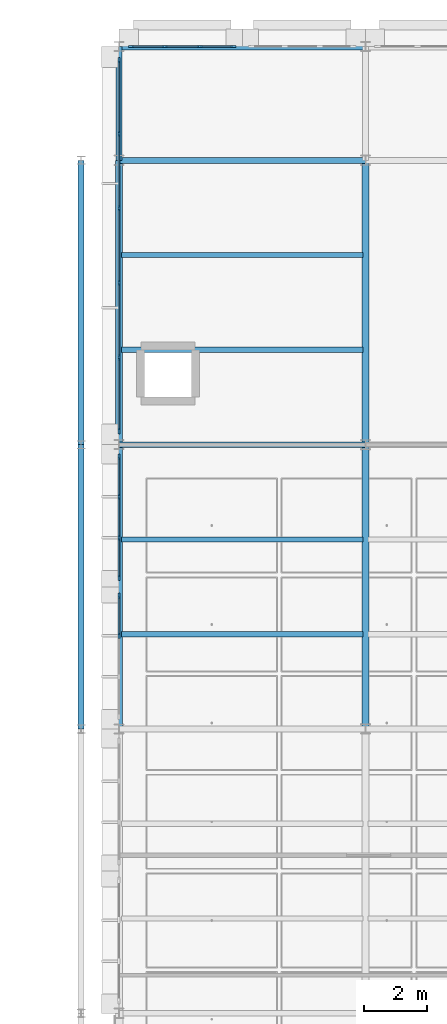
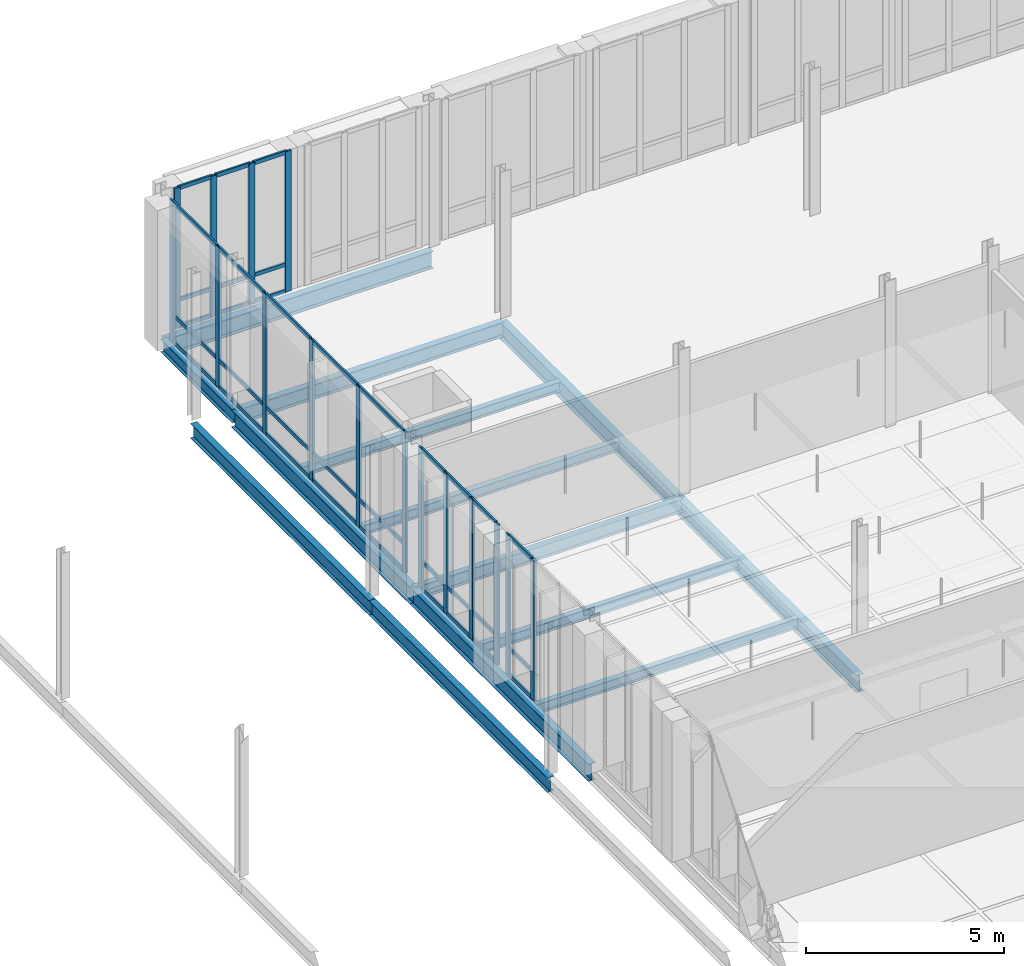
# One storey, part 34 of 130: 52 members, 14 beams, 4 elements without a shape of their own.
"""IFC4 building model written with IfcOpenShell, lengths in metres."""

import ifcopenshell
import ifcopenshell.guid

model = None  # the IFC model being written
_history = None  # IfcOwnerHistory: only IFC2X3 demands one
_inside = {}  # id of a spatial element -> (the spatial element, [elements in it])
_under = {}  # id of a project, library or spatial element -> (it, [spatial elements below it])
_declared = {}  # id of a project -> (the project, [libraries it declares])
_typed = {}  # id of a type object -> (the type object, [elements of that type])
_made_of = {}  # id of a material, layer set ... -> (it, [elements and type objects made of it])


def new_model(schema):
    """Start an empty IFC model of exactly this schema.

    Asked for "IFC4X3", IfcOpenShell would pick the latest addendum, in which some entities
    have other attributes; the version numbers below select the first issue.
    IFC2X3 requires an IfcOwnerHistory on every rooted entity: one is made here for all.
    """
    global model, _history
    if schema == "IFC4X3":
        model = ifcopenshell.file(schema_version=(4, 3, 0, 0))
    else:
        model = ifcopenshell.file(schema=schema)
    _inside.clear()
    _under.clear()
    _declared.clear()
    _typed.clear()
    _made_of.clear()
    _history = None
    if model.schema == "IFC2X3":
        org = make("IfcOrganization", Name="unknown")
        user = make(
            "IfcPersonAndOrganization",
            ThePerson=make("IfcPerson", FamilyName="unknown"),
            TheOrganization=org,
        )
        app = make(
            "IfcApplication",
            ApplicationDeveloper=org,
            Version="unknown",
            ApplicationFullName="unknown",
            ApplicationIdentifier="unknown",
        )
        _history = make(
            "IfcOwnerHistory",
            OwningUser=user,
            OwningApplication=app,
            ChangeAction="ADDED",
            CreationDate=0,
        )
    return model


def make(cls, **values):
    """One entity of the class cls with the attributes given. An attribute that is None is left unset."""
    return model.create_entity(
        cls, **{name: value for name, value in values.items() if value is not None}
    )


def rooted(cls, **values):
    """An entity with a GlobalId (a new one), such as an element, a storey or a relation."""
    return make(cls, GlobalId=ifcopenshell.guid.new(), OwnerHistory=_history, **values)


def si_unit(unit_type, name, prefix=None):
    """IfcSIUnit, for example si_unit("LENGTHUNIT", "METRE", prefix="MILLI")."""
    return make("IfcSIUnit", UnitType=unit_type, Prefix=prefix, Name=name)


def assignment(units):
    """IfcUnitAssignment: the units of a project."""
    return None if units is None else make("IfcUnitAssignment", Units=units)


def point(xyz):
    """IfcCartesianPoint."""
    return None if xyz is None else make("IfcCartesianPoint", Coordinates=xyz)


def direction(xyz):
    """IfcDirection."""
    return None if xyz is None else make("IfcDirection", DirectionRatios=xyz)


def frame(location, z_axis=None, x_axis=None):
    """IfcAxis2Placement3D, a coordinate frame: its origin and axes. An axis left out is left unset."""
    return make(
        "IfcAxis2Placement3D",
        Location=point(location),
        Axis=direction(z_axis),
        RefDirection=direction(x_axis),
    )


def frame_2d(location, x_axis=None):
    """IfcAxis2Placement2D, a coordinate frame in the plane: its origin and x axis."""
    return make(
        "IfcAxis2Placement2D", Location=point(location), RefDirection=direction(x_axis)
    )


def origin():
    """The frame at (0, 0, 0) with its axes left unset."""
    return frame((0.0, 0.0, 0.0))


def origin_2d():
    """The frame at (0, 0) in the plane with its x axis left unset."""
    return frame_2d((0.0, 0.0))


def place(relative_to, where):
    """IfcLocalPlacement: puts the frame where relative to a parent placement (None: the world)."""
    return make(
        "IfcLocalPlacement", PlacementRelTo=relative_to, RelativePlacement=where
    )


def context(
    kind, dimensions, precision=None, world=None, true_north=None, identifier=None
):
    """IfcGeometricRepresentationContext, for example the 3D "Model" context."""
    return make(
        "IfcGeometricRepresentationContext",
        ContextIdentifier=identifier,
        ContextType=kind,
        CoordinateSpaceDimension=dimensions,
        Precision=precision,
        WorldCoordinateSystem=world,
        TrueNorth=true_north,
    )


def subcontext(parent, identifier, kind, view, scale=None):
    """IfcGeometricRepresentationSubContext, for example "Body" below "Model"."""
    return make(
        "IfcGeometricRepresentationSubContext",
        ContextIdentifier=identifier,
        ContextType=kind,
        ParentContext=parent,
        TargetScale=scale,
        TargetView=view,
    )


def project(units=None, contexts=None):
    """IfcProject with its units and contexts."""
    return rooted(
        "IfcProject",
        Name="project",
        RepresentationContexts=contexts,
        UnitsInContext=assignment(units),
    )


def spatial(cls, under=None, at=None, **own):
    """A site, building, storey or space (cls), placed at a placement, below another one or the project."""
    s = rooted(cls, ObjectPlacement=at, **own)
    if under is not None:
        _under.setdefault(under.id(), (under, []))[1].append(s)
    return s


def profile(cls, at=None, kind="AREA", **sizes):
    """A parametric profile (cls). Its sizes go by their IFC names, for example OverallWidth=200.0."""
    return make(cls, ProfileType=kind, Position=at, **sizes)


def rectangle(**sizes):
    """IfcRectangleProfileDef."""
    return profile("IfcRectangleProfileDef", **sizes)


def i_section(**sizes):
    """IfcIShapeProfileDef."""
    return profile("IfcIShapeProfileDef", **sizes)


def extrude(swept, where, along, depth):
    """IfcExtrudedAreaSolid: the profile swept, set in the frame where, extruded along a direction by depth."""
    return make(
        "IfcExtrudedAreaSolid",
        SweptArea=swept,
        Position=where,
        ExtrudedDirection=direction(along),
        Depth=depth,
    )


def shape(context_of_items, identifier, shape_type, items):
    """IfcShapeRepresentation: the items that make up one representation, for example the "Body"."""
    return make(
        "IfcShapeRepresentation",
        ContextOfItems=context_of_items,
        RepresentationIdentifier=identifier,
        RepresentationType=shape_type,
        Items=items,
    )


def material(Name=None, Category=None):
    """IfcMaterial."""
    return make("IfcMaterial", Name=Name, Category=Category)


def material_profile(
    of_material, cross_section, Name=None, Category=None, Priority=None
):
    """IfcMaterialProfile: a cross section and its material."""
    return make(
        "IfcMaterialProfile",
        Name=Name,
        Material=of_material,
        Profile=cross_section,
        Priority=Priority,
        Category=Category,
    )


def profile_set(profiles, Name=None, composite=None):
    """IfcMaterialProfileSet."""
    return make(
        "IfcMaterialProfileSet",
        Name=Name,
        MaterialProfiles=profiles,
        CompositeProfile=composite,
    )


def made_of(thing, what):
    """Note that an element or type object is made of a material, layer set ...; save() writes the relation."""
    if what is not None:
        _made_of.setdefault(what.id(), (what, []))[1].append(thing)
    return thing


def type_object(cls, material=None, **own):
    """A type object (cls), such as IfcWallType, which elements share."""
    return made_of(rooted(cls, **own), material)


def element(
    cls,
    number,
    at=None,
    inside=None,
    cuts=None,
    type_object=None,
    material=None,
    context=None,
    identifier="Body",
    shape_type=None,
    held_by="IfcProductDefinitionShape",
    body=None,
    shapes=None,
    **own,
):
    """One element of the class cls, such as IfcWall. Its Tag is "e" and its number.

    at: its placement. inside: the storey or other place that contains it. cuts: it is an
    opening in that element (IfcRelVoidsElement). A single representation is given by context,
    identifier, shape_type and body (its items); several are given by shapes. held_by: the class
    of the entity that holds the representations. save() writes the other relations.
    """
    e = rooted(cls, Tag="e%d" % number, ObjectPlacement=at, **own)
    if body is not None:
        shapes = [shape(context, identifier, shape_type, body)]
    if shapes is not None:
        e.Representation = make(held_by, Representations=shapes)
    if inside is not None:
        _inside.setdefault(inside.id(), (inside, []))[1].append(e)
    if cuts is not None:
        rooted(
            "IfcRelVoidsElement", RelatingBuildingElement=cuts, RelatedOpeningElement=e
        )
    if type_object is not None:
        _typed.setdefault(type_object.id(), (type_object, []))[1].append(e)
    return made_of(e, material)


def aggregate(whole, parts):
    """IfcRelAggregates: a whole, such as a stair, and the parts it consists of."""
    return rooted("IfcRelAggregates", RelatingObject=whole, RelatedObjects=parts)


def save(model, path):
    """Write the relations noted so far, then the file.

    IfcRelAggregates (storeys below a building ...), IfcRelContainedInSpatialStructure (elements
    in a storey), IfcRelDefinesByType, IfcRelAssociatesMaterial and IfcRelDeclares: one each for
    every whole, place, type object, material and project.
    """
    for whole, parts in _under.values():
        aggregate(whole, parts)
    for where, things in _inside.values():
        rooted(
            "IfcRelContainedInSpatialStructure",
            RelatedElements=things,
            RelatingStructure=where,
        )
    for kind, things in _typed.values():
        rooted("IfcRelDefinesByType", RelatedObjects=things, RelatingType=kind)
    for what, things in _made_of.values():
        rooted("IfcRelAssociatesMaterial", RelatedObjects=things, RelatingMaterial=what)
    for by, libraries in _declared.values():
        rooted("IfcRelDeclares", RelatingContext=by, RelatedDefinitions=libraries)
    model.write(path)


model = new_model("IFC4")

# Units and contexts
model_context = context("Model", 3, precision=1e-05, world=origin(), true_north=direction((0.0, 1.0)))
body_context = subcontext(model_context, "Body", "Model", "MODEL_VIEW")
ifc_project = project(units=[si_unit("LENGTHUNIT", "METRE"), si_unit("AREAUNIT", "SQUARE_METRE"), si_unit("VOLUMEUNIT", "CUBIC_METRE"), si_unit("PLANEANGLEUNIT", "RADIAN"), si_unit("MASSUNIT", "GRAM", prefix="KILO"), si_unit("THERMODYNAMICTEMPERATUREUNIT", "KELVIN"), si_unit("POWERUNIT", "WATT")], contexts=[model_context])

# Site, building, storey
site_placement = place(None, origin())
site = spatial("IfcSite", under=ifc_project, at=site_placement, CompositionType="ELEMENT")
building_placement = place(site_placement, origin())
building = spatial("IfcBuilding", under=site, at=building_placement, Name="Tallowbark Science Centre", CompositionType="ELEMENT")
storey_placement = place(building_placement, frame((0.0, 0.0, 5.39990234375)))
storey = spatial("IfcBuildingStorey", under=building, at=storey_placement, Name="L01", CompositionType="ELEMENT", Elevation=5.39990234375)

# Beams
ifc_material_1 = material(Name="Structural Steel Grade 300PLUS (300 MPa)", Category="steel")
ifc_material_profile_1 = material_profile(ifc_material_1, i_section(OverallWidth=0.177734375, OverallDepth=0.406494140625, WebThickness=0.0078125, FlangeThickness=0.0126953125, FilletRadius=0.011474609375, at=origin_2d()), Name="410UB59.7")
ifc_profile_set_1 = profile_set([ifc_material_profile_1], Name="Structural Steel Grade 300PLUS (300 MPa)")
beam_type_1 = type_object("IfcBeamType", Name="BM-UB410", PredefinedType="BEAM", material=ifc_profile_set_1)
beam_1_placement = place(storey_placement, frame((55.199951171875, 99.0, -0.383056640625), z_axis=(1.0, 0.0, 0.0), x_axis=(0.0, 1.0, 0.0)))
element("IfcBeam", 1, at=beam_1_placement, inside=storey, type_object=beam_type_1, Name="Primary Girder GRDX-L01-552-630-990", PredefinedType="BEAM", context=body_context, shape_type="SweptSolid", body=[
    extrude(i_section(OverallWidth=0.177734375, OverallDepth=0.406494140625, WebThickness=0.0078125, FlangeThickness=0.0126953125, FilletRadius=0.011474609375, at=origin_2d()), origin(), (0.0, 0.0, 1.0), 7.800048828125),
])
beam_2_placement = place(storey_placement, frame((55.199951171875, 108.0, -0.383056640625), z_axis=(0.0, 1.0, 0.0), x_axis=(-1.0, 0.0, 0.0)))
element("IfcBeam", 2, at=beam_2_placement, inside=storey, type_object=beam_type_1, Name="Primary Girder GRDY-L01-552-1080-1116", PredefinedType="BEAM", context=body_context, shape_type="SweptSolid", body=[
    extrude(i_section(OverallWidth=0.177734375, OverallDepth=0.406494140625, WebThickness=0.0078125, FlangeThickness=0.0126953125, FilletRadius=0.011474609375, at=origin_2d()), origin(), (0.0, 0.0, 1.0), 3.60009765625),
])
ifc_material_profile_2 = material_profile(ifc_material_1, i_section(OverallWidth=0.208740234375, OverallDepth=0.5283203125, WebThickness=0.009521484375, FlangeThickness=0.01318359375, FilletRadius=0.013916015625, at=origin_2d()), Name="530UB82.0")
ifc_profile_set_2 = profile_set([ifc_material_profile_2], Name="Structural Steel Grade 300PLUS (300 MPa)")
beam_type_2 = type_object("IfcBeamType", Name="BM-UB530B", PredefinedType="BEAM", material=ifc_profile_set_2)
for number, where, z_axis, x_axis, name in (
    (3, (55.199951171875, 90.0, -0.444091796875), (0.0, 1.0, 0.0), (-1.0, 0.0, 0.0), "Primary Girder GRDY-L01-552-900-990"),
    (4, (55.199951171875, 99.0, -0.444091796875), (0.0, 1.0, 0.0), (-1.0, 0.0, 0.0), "Primary Girder GRDY-L01-552-990-1080"),
    (5, (63.0, 90.0, -0.444091796875), (0.0, 1.0, 0.0), (-1.0, 0.0, 0.0), "Primary Girder GRDY-L01-630-900-990"),
    (6, (63.0, 99.0, -0.444091796875), (0.0, 1.0, 0.0), (-1.0, 0.0, 0.0), "Primary Girder GRDY-L01-630-990-1080"),
):
    element("IfcBeam", number, at=place(storey_placement, frame(where, z_axis=z_axis, x_axis=x_axis)), inside=storey, type_object=beam_type_2, Name=name, PredefinedType="BEAM", context=body_context, shape_type="SweptSolid", body=[
        extrude(i_section(OverallWidth=0.208740234375, OverallDepth=0.5283203125, WebThickness=0.009521484375, FlangeThickness=0.01318359375, FilletRadius=0.013916015625, at=origin_2d()), origin(), (0.0, 0.0, 1.0), 9.0),
    ])

# Curtain wall, members
ifc_material_2 = material(Name="Unitised Thermally Broken Aluminium and Low-E Double Glazing", Category="aluminium")
curtain_wall_type = type_object("IfcCurtainWallType", Name="CW-SYS-FACADE", PredefinedType="NOTDEFINED", material=ifc_material_2)
curtain_wall_1_placement = place(storey_placement, origin())
curtain_wall_1 = element("IfcCurtainWall", 7, at=curtain_wall_1_placement, inside=storey, type_object=curtain_wall_type, Name="Unitised Curtain Wall LAB-W-90A CW-L01-047", PredefinedType="NOTDEFINED")
ifc_material_3 = material(Name="Anodised Architectural Aluminium Alloy 6063-T6", Category="aluminium")
ifc_material_profile_3 = material_profile(ifc_material_3, rectangle(XDim=0.06494140625, YDim=0.179931640625, at=origin_2d()), Name="ALU65x180")
ifc_profile_set_3 = profile_set([ifc_material_profile_3], Name="Anodised Architectural Aluminium Alloy 6063-T6")
member_type_1 = type_object("IfcMemberType", Name="CWM-MUL-220", PredefinedType="MULLION", material=ifc_profile_set_3)
member_1_placement = place(storey_placement, frame((55.199951171875, 98.617431640625, 0.0), z_axis=(0.0, 0.0, 1.0), x_axis=(1.0, 0.0, 0.0)))
member_1 = element("IfcMember", 8, at=member_1_placement, type_object=member_type_1, Name="CW-01 mullion 1", PredefinedType="MULLION", context=body_context, shape_type="SweptSolid", body=[
    extrude(rectangle(XDim=0.06494140625, YDim=0.179931640625, at=origin_2d()), origin(), (0.0, 0.0, 1.0), 4.320068359375),
])
member_2_placement = place(storey_placement, frame((55.199951171875, 97.35009765625, 0.0), z_axis=(0.0, 0.0, 1.0), x_axis=(1.0, 0.0, 0.0)))
member_2 = element("IfcMember", 9, at=member_2_placement, type_object=member_type_1, Name="CW-01 mullion 2", PredefinedType="MULLION", context=body_context, shape_type="SweptSolid", body=[
    extrude(rectangle(XDim=0.06494140625, YDim=0.179931640625, at=origin_2d()), origin(), (0.0, 0.0, 1.0), 4.320068359375),
])
member_3_placement = place(storey_placement, frame((55.199951171875, 96.050048828125, 0.0), z_axis=(0.0, 0.0, 1.0), x_axis=(1.0, 0.0, 0.0)))
member_3 = element("IfcMember", 10, at=member_3_placement, type_object=member_type_1, Name="CW-01 mullion 3", PredefinedType="MULLION", context=body_context, shape_type="SweptSolid", body=[
    extrude(rectangle(XDim=0.06494140625, YDim=0.179931640625, at=origin_2d()), origin(), (0.0, 0.0, 1.0), 4.320068359375),
])
member_4_placement = place(storey_placement, frame((55.199951171875, 94.782470703125, 0.0), z_axis=(0.0, 0.0, 1.0), x_axis=(1.0, 0.0, 0.0)))
member_4 = element("IfcMember", 11, at=member_4_placement, type_object=member_type_1, Name="CW-01 mullion 4", PredefinedType="MULLION", context=body_context, shape_type="SweptSolid", body=[
    extrude(rectangle(XDim=0.06494140625, YDim=0.179931640625, at=origin_2d()), origin(), (0.0, 0.0, 1.0), 4.320068359375),
])

curtain_wall_2_placement = place(storey_placement, origin())
curtain_wall_2 = element("IfcCurtainWall", 12, at=curtain_wall_2_placement, inside=storey, type_object=curtain_wall_type, Name="Unitised Curtain Wall LAB-W-90B CW-L01-048", PredefinedType="NOTDEFINED")
member_5_placement = place(storey_placement, frame((55.199951171875, 94.217529296875, 0.0), z_axis=(0.0, 0.0, 1.0), x_axis=(1.0, 0.0, 0.0)))
member_5 = element("IfcMember", 13, at=member_5_placement, type_object=member_type_1, Name="CW-01 mullion 1", PredefinedType="MULLION", context=body_context, shape_type="SweptSolid", body=[
    extrude(rectangle(XDim=0.06494140625, YDim=0.179931640625, at=origin_2d()), origin(), (0.0, 0.0, 1.0), 4.320068359375),
])
member_6_placement = place(storey_placement, frame((55.199951171875, 92.949951171875, 0.0), z_axis=(0.0, 0.0, 1.0), x_axis=(1.0, 0.0, 0.0)))
member_6 = element("IfcMember", 14, at=member_6_placement, type_object=member_type_1, Name="CW-01 mullion 2", PredefinedType="MULLION", context=body_context, shape_type="SweptSolid", body=[
    extrude(rectangle(XDim=0.06494140625, YDim=0.179931640625, at=origin_2d()), origin(), (0.0, 0.0, 1.0), 4.320068359375),
])

curtain_wall_3_placement = place(storey_placement, origin())
curtain_wall_3 = element("IfcCurtainWall", 15, at=curtain_wall_3_placement, inside=storey, type_object=curtain_wall_type, Name="Unitised Curtain Wall CAF-N-55B CW-L01-050", PredefinedType="NOTDEFINED")
member_7_placement = place(storey_placement, frame((58.8173828125, 111.60009765625, 0.0), z_axis=(0.0, 0.0, 1.0), x_axis=(0.0, -1.0, 0.0)))
member_7 = element("IfcMember", 16, at=member_7_placement, type_object=member_type_1, Name="CW-01 mullion 1", PredefinedType="MULLION", context=body_context, shape_type="SweptSolid", body=[
    extrude(rectangle(XDim=0.06494140625, YDim=0.179931640625, at=origin_2d()), origin(), (0.0, 0.0, 1.0), 4.320068359375),
])
member_8_placement = place(storey_placement, frame((57.75, 111.60009765625, 0.0), z_axis=(0.0, 0.0, 1.0), x_axis=(0.0, -1.0, 0.0)))
member_8 = element("IfcMember", 17, at=member_8_placement, type_object=member_type_1, Name="CW-01 mullion 2", PredefinedType="MULLION", context=body_context, shape_type="SweptSolid", body=[
    extrude(rectangle(XDim=0.06494140625, YDim=0.179931640625, at=origin_2d()), origin(), (0.0, 0.0, 1.0), 4.320068359375),
])
member_9_placement = place(storey_placement, frame((56.64990234375, 111.60009765625, 0.0), z_axis=(0.0, 0.0, 1.0), x_axis=(0.0, -1.0, 0.0)))
member_9 = element("IfcMember", 18, at=member_9_placement, type_object=member_type_1, Name="CW-01 mullion 3", PredefinedType="MULLION", context=body_context, shape_type="SweptSolid", body=[
    extrude(rectangle(XDim=0.06494140625, YDim=0.179931640625, at=origin_2d()), origin(), (0.0, 0.0, 1.0), 4.320068359375),
])
member_10_placement = place(storey_placement, frame((55.58251953125, 111.60009765625, 0.0), z_axis=(0.0, 0.0, 1.0), x_axis=(0.0, -1.0, 0.0)))
member_10 = element("IfcMember", 19, at=member_10_placement, type_object=member_type_1, Name="CW-01 mullion 4", PredefinedType="MULLION", context=body_context, shape_type="SweptSolid", body=[
    extrude(rectangle(XDim=0.06494140625, YDim=0.179931640625, at=origin_2d()), origin(), (0.0, 0.0, 1.0), 4.320068359375),
])

curtain_wall_4_placement = place(storey_placement, origin())
curtain_wall_4 = element("IfcCurtainWall", 20, at=curtain_wall_4_placement, inside=storey, type_object=curtain_wall_type, Name="Unitised Curtain Wall CAF-W-L01 CW-L01-059", PredefinedType="NOTDEFINED")
member_11_placement = place(storey_placement, frame((55.199951171875, 111.16748046875, 0.0), z_axis=(0.0, 0.0, 1.0), x_axis=(1.0, 0.0, 0.0)))
member_11 = element("IfcMember", 21, at=member_11_placement, type_object=member_type_1, Name="CW-01 mullion 1", PredefinedType="MULLION", context=body_context, shape_type="SweptSolid", body=[
    extrude(rectangle(XDim=0.06494140625, YDim=0.179931640625, at=origin_2d()), origin(), (0.0, 0.0, 1.0), 4.320068359375),
])
member_12_placement = place(storey_placement, frame((55.199951171875, 108.840087890625, 0.0), z_axis=(0.0, 0.0, 1.0), x_axis=(1.0, 0.0, 0.0)))
member_12 = element("IfcMember", 22, at=member_12_placement, type_object=member_type_1, Name="CW-01 mullion 2", PredefinedType="MULLION", context=body_context, shape_type="SweptSolid", body=[
    extrude(rectangle(XDim=0.06494140625, YDim=0.179931640625, at=origin_2d()), origin(), (0.0, 0.0, 1.0), 4.320068359375),
])
member_13_placement = place(storey_placement, frame((55.199951171875, 106.47998046875, 0.0), z_axis=(0.0, 0.0, 1.0), x_axis=(1.0, 0.0, 0.0)))
member_13 = element("IfcMember", 23, at=member_13_placement, type_object=member_type_1, Name="CW-01 mullion 3", PredefinedType="MULLION", context=body_context, shape_type="SweptSolid", body=[
    extrude(rectangle(XDim=0.06494140625, YDim=0.179931640625, at=origin_2d()), origin(), (0.0, 0.0, 1.0), 4.320068359375),
])
member_14_placement = place(storey_placement, frame((55.199951171875, 104.1201171875, 0.0), z_axis=(0.0, 0.0, 1.0), x_axis=(1.0, 0.0, 0.0)))
member_14 = element("IfcMember", 24, at=member_14_placement, type_object=member_type_1, Name="CW-01 mullion 4", PredefinedType="MULLION", context=body_context, shape_type="SweptSolid", body=[
    extrude(rectangle(XDim=0.06494140625, YDim=0.179931640625, at=origin_2d()), origin(), (0.0, 0.0, 1.0), 4.320068359375),
])
member_15_placement = place(storey_placement, frame((55.199951171875, 101.760009765625, 0.0), z_axis=(0.0, 0.0, 1.0), x_axis=(1.0, 0.0, 0.0)))
member_15 = element("IfcMember", 25, at=member_15_placement, type_object=member_type_1, Name="CW-01 mullion 5", PredefinedType="MULLION", context=body_context, shape_type="SweptSolid", body=[
    extrude(rectangle(XDim=0.06494140625, YDim=0.179931640625, at=origin_2d()), origin(), (0.0, 0.0, 1.0), 4.320068359375),
])
member_16_placement = place(storey_placement, frame((55.199951171875, 99.4326171875, 0.0), z_axis=(0.0, 0.0, 1.0), x_axis=(1.0, 0.0, 0.0)))
member_16 = element("IfcMember", 26, at=member_16_placement, type_object=member_type_1, Name="CW-01 mullion 6", PredefinedType="MULLION", context=body_context, shape_type="SweptSolid", body=[
    extrude(rectangle(XDim=0.06494140625, YDim=0.179931640625, at=origin_2d()), origin(), (0.0, 0.0, 1.0), 4.320068359375),
])

# Member
ifc_material_profile_4 = material_profile(ifc_material_3, rectangle(XDim=0.054931640625, YDim=0.1201171875, at=origin_2d()), Name="ALU55x120")
ifc_profile_set_4 = profile_set([ifc_material_profile_4], Name="Anodised Architectural Aluminium Alloy 6063-T6")
member_type_2 = type_object("IfcMemberType", Name="CWM-TRN-150", PredefinedType="USERDEFINED", material=ifc_profile_set_4)
member_17_placement = place(storey_placement, frame((55.199951171875, 98.5849609375, 0.027587890625), z_axis=(0.0, -1.0, 0.0), x_axis=(1.0, 0.0, 0.0)))
member_17 = element("IfcMember", 27, at=member_17_placement, type_object=member_type_2, Name="CW-01 transom 1.1", ObjectType="TRANSOM", PredefinedType="USERDEFINED", context=body_context, shape_type="SweptSolid", body=[
    extrude(rectangle(XDim=0.054931640625, YDim=0.1201171875, at=origin_2d()), origin(), (0.0, 0.0, 1.0), 1.202392578125),
])

member_18_placement = place(storey_placement, frame((55.199951171875, 98.5849609375, 0.85009765625), z_axis=(0.0, -1.0, 0.0), x_axis=(1.0, 0.0, 0.0)))
member_18 = element("IfcMember", 28, at=member_18_placement, type_object=member_type_2, Name="CW-01 transom 1.2", ObjectType="TRANSOM", PredefinedType="USERDEFINED", context=body_context, shape_type="SweptSolid", body=[
    extrude(rectangle(XDim=0.054931640625, YDim=0.1201171875, at=origin_2d()), origin(), (0.0, 0.0, 1.0), 1.202392578125),
])

member_19_placement = place(storey_placement, frame((55.199951171875, 98.5849609375, 4.29248046875), z_axis=(0.0, -1.0, 0.0), x_axis=(1.0, 0.0, 0.0)))
member_19 = element("IfcMember", 29, at=member_19_placement, type_object=member_type_2, Name="CW-01 transom 1.3", ObjectType="TRANSOM", PredefinedType="USERDEFINED", context=body_context, shape_type="SweptSolid", body=[
    extrude(rectangle(XDim=0.054931640625, YDim=0.1201171875, at=origin_2d()), origin(), (0.0, 0.0, 1.0), 1.202392578125),
])

member_20_placement = place(storey_placement, frame((55.199951171875, 97.3173828125, 0.027587890625), z_axis=(0.0, -1.0, 0.0), x_axis=(1.0, 0.0, 0.0)))
member_20 = element("IfcMember", 30, at=member_20_placement, type_object=member_type_2, Name="CW-01 transom 2.1", ObjectType="TRANSOM", PredefinedType="USERDEFINED", context=body_context, shape_type="SweptSolid", body=[
    extrude(rectangle(XDim=0.054931640625, YDim=0.1201171875, at=origin_2d()), origin(), (0.0, 0.0, 1.0), 1.23486328125),
])

member_21_placement = place(storey_placement, frame((55.199951171875, 97.3173828125, 0.85009765625), z_axis=(0.0, -1.0, 0.0), x_axis=(1.0, 0.0, 0.0)))
member_21 = element("IfcMember", 31, at=member_21_placement, type_object=member_type_2, Name="CW-01 transom 2.2", ObjectType="TRANSOM", PredefinedType="USERDEFINED", context=body_context, shape_type="SweptSolid", body=[
    extrude(rectangle(XDim=0.054931640625, YDim=0.1201171875, at=origin_2d()), origin(), (0.0, 0.0, 1.0), 1.23486328125),
])

member_22_placement = place(storey_placement, frame((55.199951171875, 97.3173828125, 4.29248046875), z_axis=(0.0, -1.0, 0.0), x_axis=(1.0, 0.0, 0.0)))
member_22 = element("IfcMember", 32, at=member_22_placement, type_object=member_type_2, Name="CW-01 transom 2.3", ObjectType="TRANSOM", PredefinedType="USERDEFINED", context=body_context, shape_type="SweptSolid", body=[
    extrude(rectangle(XDim=0.054931640625, YDim=0.1201171875, at=origin_2d()), origin(), (0.0, 0.0, 1.0), 1.23486328125),
])

member_23_placement = place(storey_placement, frame((55.199951171875, 96.017578125, 0.027587890625), z_axis=(0.0, -1.0, 0.0), x_axis=(1.0, 0.0, 0.0)))
member_23 = element("IfcMember", 33, at=member_23_placement, type_object=member_type_2, Name="CW-01 transom 3.1", ObjectType="TRANSOM", PredefinedType="USERDEFINED", context=body_context, shape_type="SweptSolid", body=[
    extrude(rectangle(XDim=0.054931640625, YDim=0.1201171875, at=origin_2d()), origin(), (0.0, 0.0, 1.0), 1.20263671875),
])

member_24_placement = place(storey_placement, frame((55.199951171875, 96.017578125, 0.85009765625), z_axis=(0.0, -1.0, 0.0), x_axis=(1.0, 0.0, 0.0)))
member_24 = element("IfcMember", 34, at=member_24_placement, type_object=member_type_2, Name="CW-01 transom 3.2", ObjectType="TRANSOM", PredefinedType="USERDEFINED", context=body_context, shape_type="SweptSolid", body=[
    extrude(rectangle(XDim=0.054931640625, YDim=0.1201171875, at=origin_2d()), origin(), (0.0, 0.0, 1.0), 1.20263671875),
])

member_25_placement = place(storey_placement, frame((55.199951171875, 96.017578125, 4.29248046875), z_axis=(0.0, -1.0, 0.0), x_axis=(1.0, 0.0, 0.0)))
member_25 = element("IfcMember", 35, at=member_25_placement, type_object=member_type_2, Name="CW-01 transom 3.3", ObjectType="TRANSOM", PredefinedType="USERDEFINED", context=body_context, shape_type="SweptSolid", body=[
    extrude(rectangle(XDim=0.054931640625, YDim=0.1201171875, at=origin_2d()), origin(), (0.0, 0.0, 1.0), 1.20263671875),
])

aggregate(curtain_wall_1, [member_1, member_2, member_3, member_4, member_17, member_18, member_19, member_20, member_21, member_22, member_23, member_24, member_25])

member_26_placement = place(storey_placement, frame((55.199951171875, 94.18505859375, 0.027587890625), z_axis=(0.0, -1.0, 0.0), x_axis=(1.0, 0.0, 0.0)))
member_26 = element("IfcMember", 36, at=member_26_placement, type_object=member_type_2, Name="CW-01 transom 1.1", ObjectType="TRANSOM", PredefinedType="USERDEFINED", context=body_context, shape_type="SweptSolid", body=[
    extrude(rectangle(XDim=0.054931640625, YDim=0.1201171875, at=origin_2d()), origin(), (0.0, 0.0, 1.0), 1.20263671875),
])

member_27_placement = place(storey_placement, frame((55.199951171875, 94.18505859375, 0.85009765625), z_axis=(0.0, -1.0, 0.0), x_axis=(1.0, 0.0, 0.0)))
member_27 = element("IfcMember", 37, at=member_27_placement, type_object=member_type_2, Name="CW-01 transom 1.2", ObjectType="TRANSOM", PredefinedType="USERDEFINED", context=body_context, shape_type="SweptSolid", body=[
    extrude(rectangle(XDim=0.054931640625, YDim=0.1201171875, at=origin_2d()), origin(), (0.0, 0.0, 1.0), 1.20263671875),
])

member_28_placement = place(storey_placement, frame((55.199951171875, 94.18505859375, 4.29248046875), z_axis=(0.0, -1.0, 0.0), x_axis=(1.0, 0.0, 0.0)))
member_28 = element("IfcMember", 38, at=member_28_placement, type_object=member_type_2, Name="CW-01 transom 1.3", ObjectType="TRANSOM", PredefinedType="USERDEFINED", context=body_context, shape_type="SweptSolid", body=[
    extrude(rectangle(XDim=0.054931640625, YDim=0.1201171875, at=origin_2d()), origin(), (0.0, 0.0, 1.0), 1.20263671875),
])

aggregate(curtain_wall_2, [member_5, member_6, member_26, member_27, member_28])

member_29_placement = place(storey_placement, frame((58.784912109375, 111.60009765625, 0.027587890625), z_axis=(-1.0, 0.0, 0.0), x_axis=(0.0, -1.0, 0.0)))
member_29 = element("IfcMember", 39, at=member_29_placement, type_object=member_type_2, Name="CW-01 transom 1.1", ObjectType="TRANSOM", PredefinedType="USERDEFINED", context=body_context, shape_type="SweptSolid", body=[
    extrude(rectangle(XDim=0.054931640625, YDim=0.1201171875, at=origin_2d()), origin(), (0.0, 0.0, 1.0), 1.00244140625),
])

member_30_placement = place(storey_placement, frame((58.784912109375, 111.60009765625, 0.85009765625), z_axis=(-1.0, 0.0, 0.0), x_axis=(0.0, -1.0, 0.0)))
member_30 = element("IfcMember", 40, at=member_30_placement, type_object=member_type_2, Name="CW-01 transom 1.2", ObjectType="TRANSOM", PredefinedType="USERDEFINED", context=body_context, shape_type="SweptSolid", body=[
    extrude(rectangle(XDim=0.054931640625, YDim=0.1201171875, at=origin_2d()), origin(), (0.0, 0.0, 1.0), 1.00244140625),
])

member_31_placement = place(storey_placement, frame((58.784912109375, 111.60009765625, 4.29248046875), z_axis=(-1.0, 0.0, 0.0), x_axis=(0.0, -1.0, 0.0)))
member_31 = element("IfcMember", 41, at=member_31_placement, type_object=member_type_2, Name="CW-01 transom 1.3", ObjectType="TRANSOM", PredefinedType="USERDEFINED", context=body_context, shape_type="SweptSolid", body=[
    extrude(rectangle(XDim=0.054931640625, YDim=0.1201171875, at=origin_2d()), origin(), (0.0, 0.0, 1.0), 1.00244140625),
])

member_32_placement = place(storey_placement, frame((57.717529296875, 111.60009765625, 0.027587890625), z_axis=(-1.0, 0.0, 0.0), x_axis=(0.0, -1.0, 0.0)))
member_32 = element("IfcMember", 42, at=member_32_placement, type_object=member_type_2, Name="CW-01 transom 2.1", ObjectType="TRANSOM", PredefinedType="USERDEFINED", context=body_context, shape_type="SweptSolid", body=[
    extrude(rectangle(XDim=0.054931640625, YDim=0.1201171875, at=origin_2d()), origin(), (0.0, 0.0, 1.0), 1.034912109375),
])

member_33_placement = place(storey_placement, frame((57.717529296875, 111.60009765625, 0.85009765625), z_axis=(-1.0, 0.0, 0.0), x_axis=(0.0, -1.0, 0.0)))
member_33 = element("IfcMember", 43, at=member_33_placement, type_object=member_type_2, Name="CW-01 transom 2.2", ObjectType="TRANSOM", PredefinedType="USERDEFINED", context=body_context, shape_type="SweptSolid", body=[
    extrude(rectangle(XDim=0.054931640625, YDim=0.1201171875, at=origin_2d()), origin(), (0.0, 0.0, 1.0), 1.034912109375),
])

member_34_placement = place(storey_placement, frame((57.717529296875, 111.60009765625, 4.29248046875), z_axis=(-1.0, 0.0, 0.0), x_axis=(0.0, -1.0, 0.0)))
member_34 = element("IfcMember", 44, at=member_34_placement, type_object=member_type_2, Name="CW-01 transom 2.3", ObjectType="TRANSOM", PredefinedType="USERDEFINED", context=body_context, shape_type="SweptSolid", body=[
    extrude(rectangle(XDim=0.054931640625, YDim=0.1201171875, at=origin_2d()), origin(), (0.0, 0.0, 1.0), 1.034912109375),
])

member_35_placement = place(storey_placement, frame((56.617431640625, 111.60009765625, 0.027587890625), z_axis=(-1.0, 0.0, 0.0), x_axis=(0.0, -1.0, 0.0)))
member_35 = element("IfcMember", 45, at=member_35_placement, type_object=member_type_2, Name="CW-01 transom 3.1", ObjectType="TRANSOM", PredefinedType="USERDEFINED", context=body_context, shape_type="SweptSolid", body=[
    extrude(rectangle(XDim=0.054931640625, YDim=0.1201171875, at=origin_2d()), origin(), (0.0, 0.0, 1.0), 1.00244140625),
])

member_36_placement = place(storey_placement, frame((56.617431640625, 111.60009765625, 0.85009765625), z_axis=(-1.0, 0.0, 0.0), x_axis=(0.0, -1.0, 0.0)))
member_36 = element("IfcMember", 46, at=member_36_placement, type_object=member_type_2, Name="CW-01 transom 3.2", ObjectType="TRANSOM", PredefinedType="USERDEFINED", context=body_context, shape_type="SweptSolid", body=[
    extrude(rectangle(XDim=0.054931640625, YDim=0.1201171875, at=origin_2d()), origin(), (0.0, 0.0, 1.0), 1.00244140625),
])

member_37_placement = place(storey_placement, frame((56.617431640625, 111.60009765625, 4.29248046875), z_axis=(-1.0, 0.0, 0.0), x_axis=(0.0, -1.0, 0.0)))
member_37 = element("IfcMember", 47, at=member_37_placement, type_object=member_type_2, Name="CW-01 transom 3.3", ObjectType="TRANSOM", PredefinedType="USERDEFINED", context=body_context, shape_type="SweptSolid", body=[
    extrude(rectangle(XDim=0.054931640625, YDim=0.1201171875, at=origin_2d()), origin(), (0.0, 0.0, 1.0), 1.00244140625),
])

aggregate(curtain_wall_3, [member_7, member_8, member_9, member_10, member_29, member_30, member_31, member_32, member_33, member_34, member_35, member_36, member_37])

member_38_placement = place(storey_placement, frame((55.199951171875, 111.135009765625, 0.027587890625), z_axis=(0.0, -1.0, 0.0), x_axis=(1.0, 0.0, 0.0)))
member_38 = element("IfcMember", 48, at=member_38_placement, type_object=member_type_2, Name="CW-01 transom 1.1", ObjectType="TRANSOM", PredefinedType="USERDEFINED", context=body_context, shape_type="SweptSolid", body=[
    extrude(rectangle(XDim=0.054931640625, YDim=0.1201171875, at=origin_2d()), origin(), (0.0, 0.0, 1.0), 2.262451171875),
])

member_39_placement = place(storey_placement, frame((55.199951171875, 111.135009765625, 0.85009765625), z_axis=(0.0, -1.0, 0.0), x_axis=(1.0, 0.0, 0.0)))
member_39 = element("IfcMember", 49, at=member_39_placement, type_object=member_type_2, Name="CW-01 transom 1.2", ObjectType="TRANSOM", PredefinedType="USERDEFINED", context=body_context, shape_type="SweptSolid", body=[
    extrude(rectangle(XDim=0.054931640625, YDim=0.1201171875, at=origin_2d()), origin(), (0.0, 0.0, 1.0), 2.262451171875),
])

member_40_placement = place(storey_placement, frame((55.199951171875, 111.135009765625, 4.29248046875), z_axis=(0.0, -1.0, 0.0), x_axis=(1.0, 0.0, 0.0)))
member_40 = element("IfcMember", 50, at=member_40_placement, type_object=member_type_2, Name="CW-01 transom 1.3", ObjectType="TRANSOM", PredefinedType="USERDEFINED", context=body_context, shape_type="SweptSolid", body=[
    extrude(rectangle(XDim=0.054931640625, YDim=0.1201171875, at=origin_2d()), origin(), (0.0, 0.0, 1.0), 2.262451171875),
])

member_41_placement = place(storey_placement, frame((55.199951171875, 108.8076171875, 0.027587890625), z_axis=(0.0, -1.0, 0.0), x_axis=(1.0, 0.0, 0.0)))
member_41 = element("IfcMember", 51, at=member_41_placement, type_object=member_type_2, Name="CW-01 transom 2.1", ObjectType="TRANSOM", PredefinedType="USERDEFINED", context=body_context, shape_type="SweptSolid", body=[
    extrude(rectangle(XDim=0.054931640625, YDim=0.1201171875, at=origin_2d()), origin(), (0.0, 0.0, 1.0), 2.295166015625),
])

member_42_placement = place(storey_placement, frame((55.199951171875, 108.8076171875, 0.85009765625), z_axis=(0.0, -1.0, 0.0), x_axis=(1.0, 0.0, 0.0)))
member_42 = element("IfcMember", 52, at=member_42_placement, type_object=member_type_2, Name="CW-01 transom 2.2", ObjectType="TRANSOM", PredefinedType="USERDEFINED", context=body_context, shape_type="SweptSolid", body=[
    extrude(rectangle(XDim=0.054931640625, YDim=0.1201171875, at=origin_2d()), origin(), (0.0, 0.0, 1.0), 2.295166015625),
])

member_43_placement = place(storey_placement, frame((55.199951171875, 108.8076171875, 4.29248046875), z_axis=(0.0, -1.0, 0.0), x_axis=(1.0, 0.0, 0.0)))
member_43 = element("IfcMember", 53, at=member_43_placement, type_object=member_type_2, Name="CW-01 transom 2.3", ObjectType="TRANSOM", PredefinedType="USERDEFINED", context=body_context, shape_type="SweptSolid", body=[
    extrude(rectangle(XDim=0.054931640625, YDim=0.1201171875, at=origin_2d()), origin(), (0.0, 0.0, 1.0), 2.295166015625),
])

member_44_placement = place(storey_placement, frame((55.199951171875, 106.447509765625, 0.027587890625), z_axis=(0.0, -1.0, 0.0), x_axis=(1.0, 0.0, 0.0)))
member_44 = element("IfcMember", 54, at=member_44_placement, type_object=member_type_2, Name="CW-01 transom 3.1", ObjectType="TRANSOM", PredefinedType="USERDEFINED", context=body_context, shape_type="SweptSolid", body=[
    extrude(rectangle(XDim=0.054931640625, YDim=0.1201171875, at=origin_2d()), origin(), (0.0, 0.0, 1.0), 2.294921875),
])

member_45_placement = place(storey_placement, frame((55.199951171875, 106.447509765625, 0.85009765625), z_axis=(0.0, -1.0, 0.0), x_axis=(1.0, 0.0, 0.0)))
member_45 = element("IfcMember", 55, at=member_45_placement, type_object=member_type_2, Name="CW-01 transom 3.2", ObjectType="TRANSOM", PredefinedType="USERDEFINED", context=body_context, shape_type="SweptSolid", body=[
    extrude(rectangle(XDim=0.054931640625, YDim=0.1201171875, at=origin_2d()), origin(), (0.0, 0.0, 1.0), 2.294921875),
])

member_46_placement = place(storey_placement, frame((55.199951171875, 106.447509765625, 4.29248046875), z_axis=(0.0, -1.0, 0.0), x_axis=(1.0, 0.0, 0.0)))
member_46 = element("IfcMember", 56, at=member_46_placement, type_object=member_type_2, Name="CW-01 transom 3.3", ObjectType="TRANSOM", PredefinedType="USERDEFINED", context=body_context, shape_type="SweptSolid", body=[
    extrude(rectangle(XDim=0.054931640625, YDim=0.1201171875, at=origin_2d()), origin(), (0.0, 0.0, 1.0), 2.294921875),
])

member_47_placement = place(storey_placement, frame((55.199951171875, 104.08740234375, 0.027587890625), z_axis=(0.0, -1.0, 0.0), x_axis=(1.0, 0.0, 0.0)))
member_47 = element("IfcMember", 57, at=member_47_placement, type_object=member_type_2, Name="CW-01 transom 4.1", ObjectType="TRANSOM", PredefinedType="USERDEFINED", context=body_context, shape_type="SweptSolid", body=[
    extrude(rectangle(XDim=0.054931640625, YDim=0.1201171875, at=origin_2d()), origin(), (0.0, 0.0, 1.0), 2.294921875),
])

member_48_placement = place(storey_placement, frame((55.199951171875, 104.08740234375, 0.85009765625), z_axis=(0.0, -1.0, 0.0), x_axis=(1.0, 0.0, 0.0)))
member_48 = element("IfcMember", 58, at=member_48_placement, type_object=member_type_2, Name="CW-01 transom 4.2", ObjectType="TRANSOM", PredefinedType="USERDEFINED", context=body_context, shape_type="SweptSolid", body=[
    extrude(rectangle(XDim=0.054931640625, YDim=0.1201171875, at=origin_2d()), origin(), (0.0, 0.0, 1.0), 2.294921875),
])

member_49_placement = place(storey_placement, frame((55.199951171875, 104.08740234375, 4.29248046875), z_axis=(0.0, -1.0, 0.0), x_axis=(1.0, 0.0, 0.0)))
member_49 = element("IfcMember", 59, at=member_49_placement, type_object=member_type_2, Name="CW-01 transom 4.3", ObjectType="TRANSOM", PredefinedType="USERDEFINED", context=body_context, shape_type="SweptSolid", body=[
    extrude(rectangle(XDim=0.054931640625, YDim=0.1201171875, at=origin_2d()), origin(), (0.0, 0.0, 1.0), 2.294921875),
])

member_50_placement = place(storey_placement, frame((55.199951171875, 101.7275390625, 0.027587890625), z_axis=(0.0, -1.0, 0.0), x_axis=(1.0, 0.0, 0.0)))
member_50 = element("IfcMember", 60, at=member_50_placement, type_object=member_type_2, Name="CW-01 transom 5.1", ObjectType="TRANSOM", PredefinedType="USERDEFINED", context=body_context, shape_type="SweptSolid", body=[
    extrude(rectangle(XDim=0.054931640625, YDim=0.1201171875, at=origin_2d()), origin(), (0.0, 0.0, 1.0), 2.262451171875),
])

member_51_placement = place(storey_placement, frame((55.199951171875, 101.7275390625, 0.85009765625), z_axis=(0.0, -1.0, 0.0), x_axis=(1.0, 0.0, 0.0)))
member_51 = element("IfcMember", 61, at=member_51_placement, type_object=member_type_2, Name="CW-01 transom 5.2", ObjectType="TRANSOM", PredefinedType="USERDEFINED", context=body_context, shape_type="SweptSolid", body=[
    extrude(rectangle(XDim=0.054931640625, YDim=0.1201171875, at=origin_2d()), origin(), (0.0, 0.0, 1.0), 2.262451171875),
])

member_52_placement = place(storey_placement, frame((55.199951171875, 101.7275390625, 4.29248046875), z_axis=(0.0, -1.0, 0.0), x_axis=(1.0, 0.0, 0.0)))
member_52 = element("IfcMember", 62, at=member_52_placement, type_object=member_type_2, Name="CW-01 transom 5.3", ObjectType="TRANSOM", PredefinedType="USERDEFINED", context=body_context, shape_type="SweptSolid", body=[
    extrude(rectangle(XDim=0.054931640625, YDim=0.1201171875, at=origin_2d()), origin(), (0.0, 0.0, 1.0), 2.262451171875),
])

aggregate(curtain_wall_4, [member_11, member_12, member_13, member_14, member_15, member_16, member_38, member_39, member_40, member_41, member_42, member_43, member_44, member_45, member_46, member_47, member_48, member_49, member_50, member_51, member_52])

# Beams
ifc_material_profile_5 = material_profile(ifc_material_1, i_section(OverallWidth=0.166015625, OverallDepth=0.30712890625, WebThickness=0.006591796875, FlangeThickness=0.01171875, FilletRadius=0.011474609375, at=origin_2d()), Name="310UB46.2")
ifc_profile_set_5 = profile_set([ifc_material_profile_5], Name="Structural Steel Grade 300PLUS (300 MPa)")
beam_type_3 = type_object("IfcBeamType", Name="JST-UB310", PredefinedType="JOIST", material=ifc_profile_set_5)
for number, where, z_axis, x_axis, name in (
    (63, (55.284912109375, 93.0, -0.33349609375), (1.0, 0.0, 0.0), (0.0, 1.0, 0.0), "Composite Floor Joist JSTX-L01-552-930"),
    (64, (55.284912109375, 96.0, -0.33349609375), (1.0, 0.0, 0.0), (0.0, 1.0, 0.0), "Composite Floor Joist JSTX-L01-552-960"),
    (65, (55.284912109375, 102.0, -0.33349609375), (1.0, 0.0, 0.0), (0.0, 1.0, 0.0), "Composite Floor Joist JSTX-L01-552-1020"),
    (66, (55.284912109375, 105.0, -0.33349609375), (1.0, 0.0, 0.0), (0.0, 1.0, 0.0), "Composite Floor Joist JSTX-L01-552-1050"),
):
    element("IfcBeam", number, at=place(storey_placement, frame(where, z_axis=z_axis, x_axis=x_axis)), inside=storey, type_object=beam_type_3, Name=name, PredefinedType="JOIST", context=body_context, shape_type="SweptSolid", body=[
        extrude(i_section(OverallWidth=0.166015625, OverallDepth=0.30712890625, WebThickness=0.006591796875, FlangeThickness=0.01171875, FilletRadius=0.011474609375, at=origin_2d()), origin(), (0.0, 0.0, 1.0), 7.630126953125),
    ])
ifc_material_profile_6 = material_profile(ifc_material_1, i_section(OverallWidth=0.208984375, OverallDepth=0.532958984375, WebThickness=0.01025390625, FlangeThickness=0.015625, FilletRadius=0.013916015625, at=origin_2d()), Name="530UB92.4")
ifc_profile_set_6 = profile_set([ifc_material_profile_6], Name="Structural Steel Grade 300PLUS (300 MPa)")
beam_type_4 = type_object("IfcBeamType", Name="LNT-UB530", PredefinedType="LINTEL", material=ifc_profile_set_6)
beam_3_placement = place(storey_placement, frame((55.199951171875, 111.60009765625, -0.4462890625), z_axis=(1.0, 0.0, 0.0), x_axis=(0.0, 1.0, 0.0)))
element("IfcBeam", 67, at=beam_3_placement, inside=storey, type_object=beam_type_4, Name="Primary Girder GRDX-L01-552-630-1116", PredefinedType="LINTEL", context=body_context, shape_type="SweptSolid", body=[
    extrude(i_section(OverallWidth=0.208984375, OverallDepth=0.532958984375, WebThickness=0.01025390625, FlangeThickness=0.015625, FilletRadius=0.013916015625, at=origin_2d()), origin(), (0.0, 0.0, 1.0), 7.800048828125),
])
ifc_material_profile_7 = material_profile(ifc_material_1, i_section(OverallWidth=0.18994140625, OverallDepth=0.453857421875, WebThickness=0.008544921875, FlangeThickness=0.0126953125, FilletRadius=0.011474609375, at=origin_2d()), Name="460UB67.1")
ifc_profile_set_7 = profile_set([ifc_material_profile_7], Name="Structural Steel Grade 300PLUS (300 MPa)")
beam_type_5 = type_object("IfcBeamType", Name="SPN-UB460", PredefinedType="SPANDREL", material=ifc_profile_set_7)
beam_4_placement = place(storey_placement, frame((55.199951171875, 108.0, -0.40673828125), z_axis=(1.0, 0.0, 0.0), x_axis=(0.0, 1.0, 0.0)))
element("IfcBeam", 68, at=beam_4_placement, inside=storey, type_object=beam_type_5, Name="Primary Girder GRDX-L01-552-630-1080", PredefinedType="SPANDREL", context=body_context, shape_type="SweptSolid", body=[
    extrude(i_section(OverallWidth=0.18994140625, OverallDepth=0.453857421875, WebThickness=0.008544921875, FlangeThickness=0.0126953125, FilletRadius=0.011474609375, at=origin_2d()), origin(), (0.0, 0.0, 1.0), 7.800048828125),
])
for number, where, z_axis, x_axis, name in (
    (69, (54.0, 90.0, -0.40673828125), (0.0, 1.0, 0.0), (-1.0, 0.0, 0.0), "Primary Girder GRDY-L01-540-900-990"),
    (70, (54.0, 99.0, -0.40673828125), (0.0, 1.0, 0.0), (-1.0, 0.0, 0.0), "Primary Girder GRDY-L01-540-990-1080"),
):
    element("IfcBeam", number, at=place(storey_placement, frame(where, z_axis=z_axis, x_axis=x_axis)), inside=storey, type_object=beam_type_5, Name=name, PredefinedType="SPANDREL", context=body_context, shape_type="SweptSolid", body=[
        extrude(i_section(OverallWidth=0.18994140625, OverallDepth=0.453857421875, WebThickness=0.008544921875, FlangeThickness=0.0126953125, FilletRadius=0.011474609375, at=origin_2d()), origin(), (0.0, 0.0, 1.0), 9.0),
    ])

save(model, "model.ifc")
